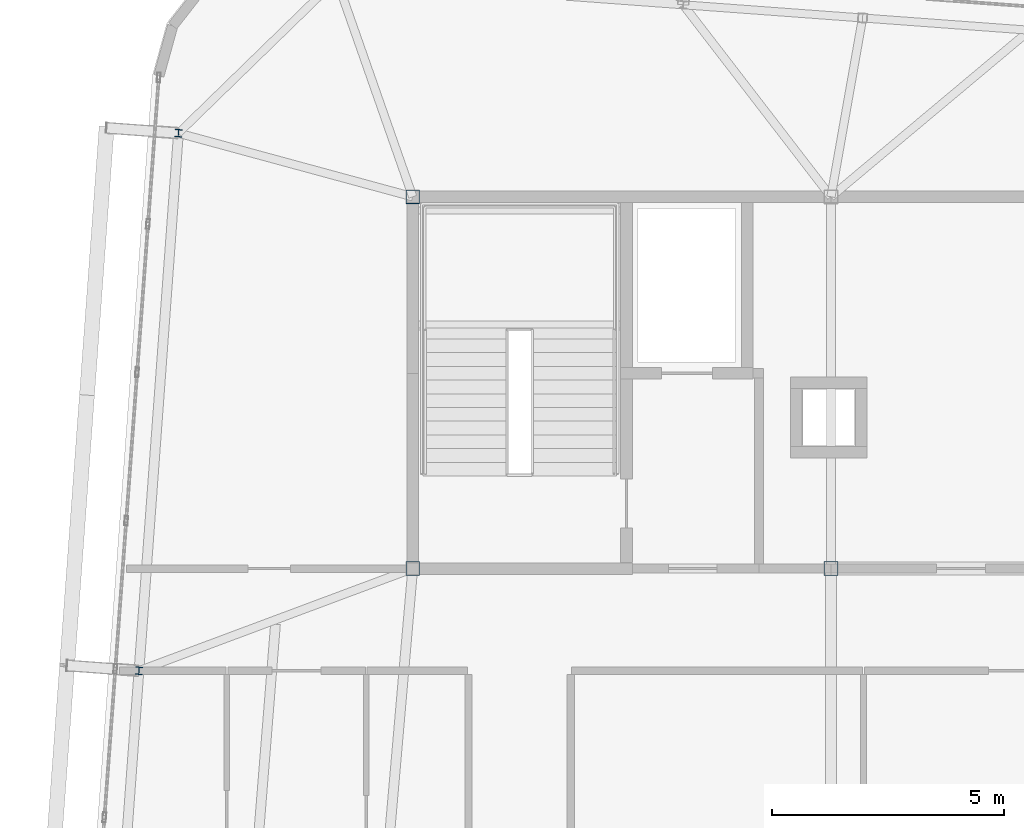
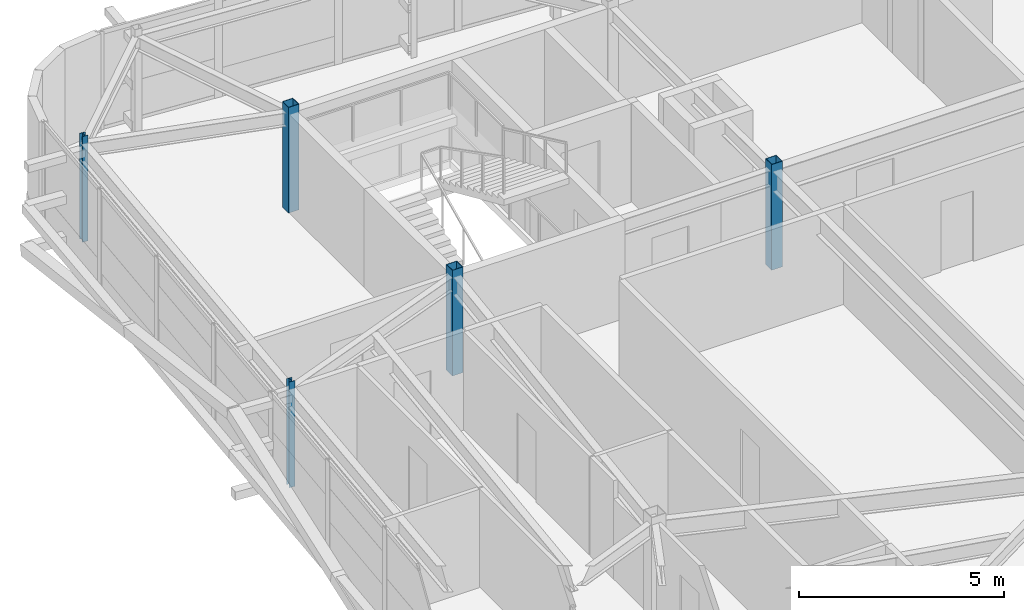
# One storey, part 3 of 42: 5 columns.
"""IFC4 building model written with IfcOpenShell, lengths in metres."""

from ifc_helpers import new_model, si_unit, direction, frame, origin, origin_2d, place, context, subcontext, project, spatial, hollow_rectangle, i_section, extrude, source, transform, mapped, material, material_profile, profile_set, type_object, element, save


model = new_model("IFC4")

# Units and contexts
model_context = context("Model", 3, precision=1e-05, world=origin(), true_north=direction((0.0, 1.0)))
body_context = subcontext(model_context, "Body", "Model", "MODEL_VIEW")
ifc_project = project(units=[si_unit("LENGTHUNIT", "METRE"), si_unit("AREAUNIT", "SQUARE_METRE"), si_unit("VOLUMEUNIT", "CUBIC_METRE"), si_unit("PLANEANGLEUNIT", "RADIAN"), si_unit("MASSUNIT", "GRAM", prefix="KILO")], contexts=[model_context])

# Site, building, storey
site_placement = place(None, origin())
site = spatial("IfcSite", under=ifc_project, at=site_placement, CompositionType="ELEMENT")
building_placement = place(site_placement, origin())
building = spatial("IfcBuilding", under=site, at=building_placement, Name="Taldren Reach Tower", CompositionType="ELEMENT")
storey_placement = place(building_placement, frame((0.0, 0.0, 224.0)))
storey = spatial("IfcBuildingStorey", under=building, at=storey_placement, Name="L68", CompositionType="ELEMENT", Elevation=224.0)

# Columns
ifc_material_1 = material(Name="Steel Gr 450 (C450L0)", Category="steel")
ifc_material_profile_1 = material_profile(ifc_material_1, hollow_rectangle(XDim=0.300048828125, YDim=0.300048828125, WallThickness=0.012451171875, at=origin_2d()), Name="300x300x12.5SHS")
ifc_profile_set_1 = profile_set([ifc_material_profile_1], Name="Steel Gr 450 (C450L0)")
column_type_1 = type_object("IfcColumnType", Name="COL-SHS300", PredefinedType="COLUMN", material=ifc_profile_set_1)
shared_shape_1 = source(origin(), body_context, "Body", "SweptSolid", [
    extrude(hollow_rectangle(XDim=0.300048828125, YDim=0.300048828125, WallThickness=0.012451171875, at=origin_2d()), origin(), (0.0, 0.0, 1.0), 3.14990234375),
])
for number, where, z_axis, x_axis, name in (
    (1, (19.0, 24.0, 0.0), (0.0, 0.0, 1.0), (1.0, 0.0, 0.0), "Mega column MC-C1 L68"),
    (2, (28.0, 24.0, 0.0), (0.0, 0.0, 1.0), (1.0, 0.0, 0.0), "Mega column MC-C2 L68"),
    (3, (19.0, 32.0, 0.0), (0.0, 0.0, 1.0), (1.0, 0.0, 0.0), "Mega column MC-C5 L68"),
):
    element("IfcColumn", number, at=place(storey_placement, frame(where, z_axis=z_axis, x_axis=x_axis)), inside=storey, type_object=column_type_1, Name=name, PredefinedType="COLUMN", context=body_context, shape_type="MappedRepresentation", body=[
        mapped(shared_shape_1, transform((0.0, 0.0, 0.0), scale=1.0)),
    ])
ifc_material_2 = material(Name="Steel Gr 350 (350PLUS)", Category="steel")
ifc_material_profile_2 = material_profile(ifc_material_2, i_section(OverallWidth=0.154052734375, OverallDepth=0.162109375, WebThickness=0.008056640625, FlangeThickness=0.011474609375, at=origin_2d()), Name="150UC37.2")
ifc_profile_set_2 = profile_set([ifc_material_profile_2], Name="Steel Gr 350 (350PLUS)")
column_type_2 = type_object("IfcColumnType", Name="COL-UC150", PredefinedType="COLUMN", material=ifc_profile_set_2)
shared_shape_2 = source(origin(), body_context, "Body", "SweptSolid", [
    extrude(i_section(OverallWidth=0.154052734375, OverallDepth=0.162109375, WebThickness=0.008056640625, FlangeThickness=0.011474609375, at=origin_2d()), origin(), (0.0, 0.0, 1.0), 3.14990234375),
])
for number, where, z_axis, x_axis, name in (
    (4, (13.108642578125, 21.80029296875, 0.0), (0.0, 0.0, 1.0), (0.997314477224, -0.073238197128, 0.0), "Block B5 perimeter column W2 L68"),
    (5, (13.958251953125, 33.369140625, 0.0), (0.0, 0.0, 1.0), (0.997314477224, -0.073238197128, 0.0), "Block B5 perimeter column W3 L68"),
):
    element("IfcColumn", number, at=place(storey_placement, frame(where, z_axis=z_axis, x_axis=x_axis)), inside=storey, type_object=column_type_2, Name=name, PredefinedType="COLUMN", context=body_context, shape_type="MappedRepresentation", body=[
        mapped(shared_shape_2, transform((0.0, 0.0, 0.0), scale=1.0)),
    ])

save(model, "model.ifc")
